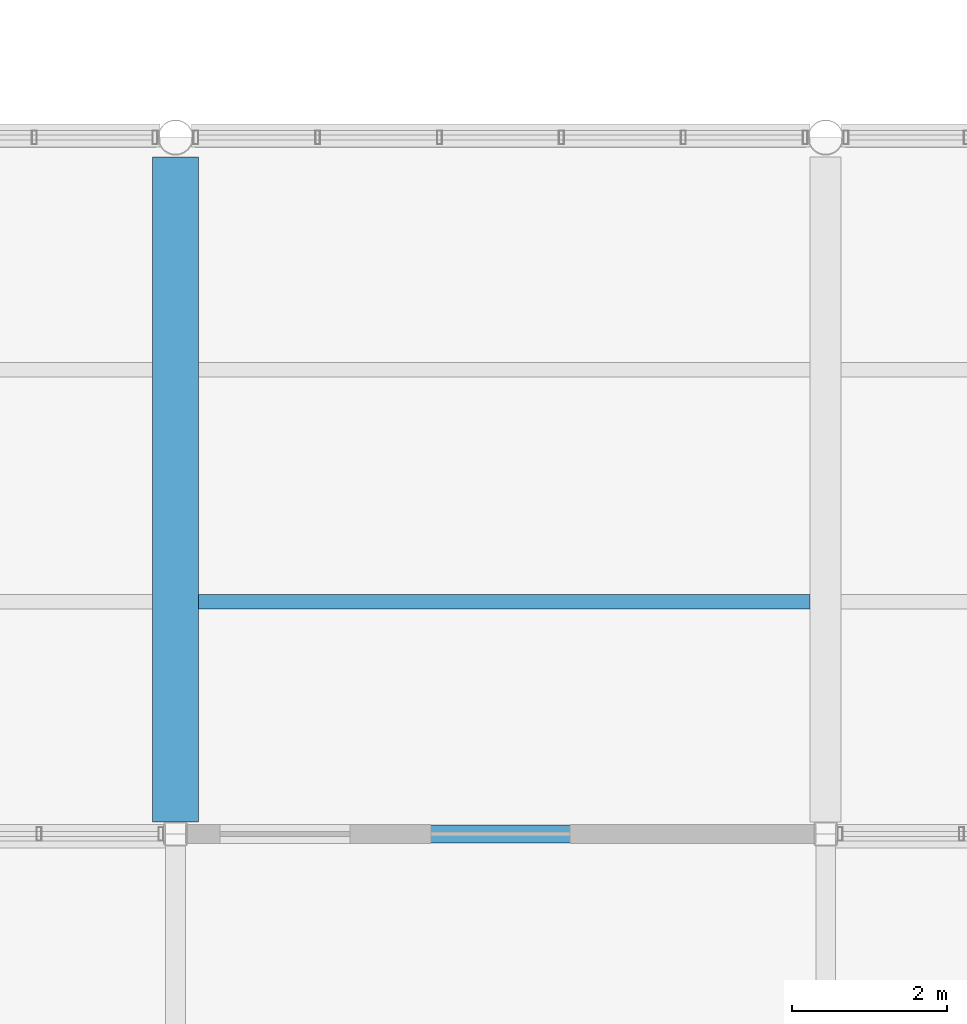
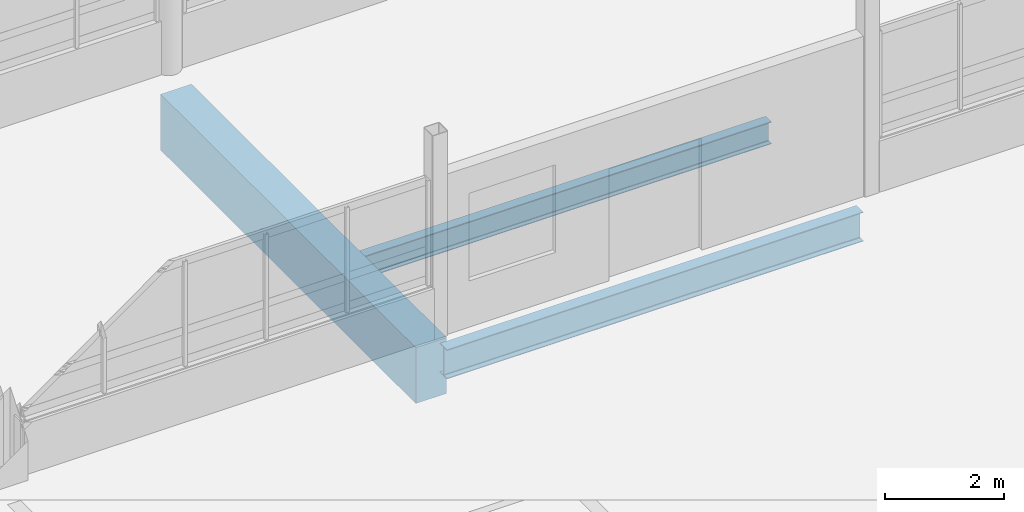
# One storey, part 16 of 101: 3 beams.
"""IFC4 building model written with IfcOpenShell, lengths in metres."""

from ifc_helpers import new_model, si_unit, direction, frame, origin, origin_2d, place, context, subcontext, project, spatial, rectangle, i_section, extrude, material, material_profile, profile_set, type_object, element, save


model = new_model("IFC4")

# Units and contexts
model_context = context("Model", 3, precision=1e-05, world=origin(), true_north=direction((0.0, 1.0)))
body_context = subcontext(model_context, "Body", "Model", "MODEL_VIEW")
ifc_project = project(units=[si_unit("LENGTHUNIT", "METRE"), si_unit("AREAUNIT", "SQUARE_METRE"), si_unit("VOLUMEUNIT", "CUBIC_METRE"), si_unit("PLANEANGLEUNIT", "RADIAN"), si_unit("MASSUNIT", "GRAM", prefix="KILO")], contexts=[model_context])

# Site, building, storey
site_placement = place(None, origin())
site = spatial("IfcSite", under=ifc_project, at=site_placement, CompositionType="ELEMENT")
building_placement = place(site_placement, origin())
building = spatial("IfcBuilding", under=site, at=building_placement, Name="Vireocrest Preparatory School", CompositionType="ELEMENT")
storey_placement = place(building_placement, frame((0.0, 0.0, 4.800048828125)))
storey = spatial("IfcBuildingStorey", under=building, at=storey_placement, Name="L01", CompositionType="ELEMENT", Elevation=4.800048828125)

# Beams
ifc_material_1 = material(Name="Structural steel ASTM A992 Grade 50", Category="steel")
ifc_material_profile_1 = material_profile(ifc_material_1, i_section(OverallWidth=0.18994140625, OverallDepth=0.45703125, WebThickness=0.009033203125, FlangeThickness=0.014404296875, FilletRadius=0.013916015625, at=origin_2d()), Name="W18X50")
ifc_profile_set_1 = profile_set([ifc_material_profile_1], Name="Structural steel ASTM A992 Grade 50")
beam_type_1 = type_object("IfcBeamType", Name="Bridge Floor Joist W18X50", PredefinedType="JOIST", material=ifc_profile_set_1)
beam_1_placement = place(storey_placement, frame((75.89990234375, 21.0, -0.508544921875), z_axis=(1.0, 0.0, 0.0), x_axis=(0.0, 1.0, 0.0)))
element("IfcBeam", 1, at=beam_1_placement, inside=storey, type_object=beam_type_1, Name="Secondary Joist SJ2 L01-0574", PredefinedType="JOIST", context=body_context, shape_type="SweptSolid", body=[
    extrude(i_section(OverallWidth=0.18994140625, OverallDepth=0.45703125, WebThickness=0.009033203125, FlangeThickness=0.014404296875, FilletRadius=0.013916015625, at=origin_2d()), origin(), (0.0, 0.0, 1.0), 7.900146484375),
])
ifc_material_profile_2 = material_profile(ifc_material_1, i_section(OverallWidth=0.22802734375, OverallDepth=0.60302734375, WebThickness=0.010498046875, FlangeThickness=0.014892578125, FilletRadius=0.01611328125, at=origin_2d()), Name="W24X68")
ifc_profile_set_2 = profile_set([ifc_material_profile_2], Name="Structural steel ASTM A992 Grade 50")
beam_type_2 = type_object("IfcBeamType", Name="Dining Pavilion Roof Girder W24X68", PredefinedType="BEAM", material=ifc_profile_set_2)
beam_2_placement = place(storey_placement, frame((75.75244140625, 18.0, -0.62158203125), z_axis=(1.0, 0.0, 0.0), x_axis=(0.0, 1.0, 0.0)))
element("IfcBeam", 2, at=beam_2_placement, inside=storey, type_object=beam_type_2, Name="Primary Girder SB4 L01-0265", PredefinedType="BEAM", context=body_context, shape_type="SweptSolid", body=[
    extrude(i_section(OverallWidth=0.22802734375, OverallDepth=0.60302734375, WebThickness=0.010498046875, FlangeThickness=0.014892578125, FilletRadius=0.01611328125, at=origin_2d()), origin(), (0.0, 0.0, 1.0), 8.09521484375),
])
ifc_material_2 = material(Name="Concrete 40 MPa", Category="concrete")
ifc_material_profile_3 = material_profile(ifc_material_2, rectangle(XDim=0.60009765625, YDim=1.14990234375, at=origin_2d()), Name="RC 600x1150")
ifc_profile_set_3 = profile_set([ifc_material_profile_3], Name="Concrete 40 MPa")
beam_type_3 = type_object("IfcBeamType", Name="RC Heavy Transfer Girder 600x1150", PredefinedType="BEAM", material=ifc_profile_set_3)
beam_3_placement = place(storey_placement, frame((75.60009765625, 18.15234375, -0.85498046875), z_axis=(0.0, 1.0, 0.0), x_axis=(-1.0, 0.0, 0.0)))
element("IfcBeam", 3, at=beam_3_placement, inside=storey, type_object=beam_type_3, Name="Primary Girder B20 L01-0427", PredefinedType="BEAM", context=body_context, shape_type="SweptSolid", body=[
    extrude(rectangle(XDim=0.60009765625, YDim=1.14990234375, at=origin_2d()), origin(), (0.0, 0.0, 1.0), 8.59375),
])

save(model, "model.ifc")
